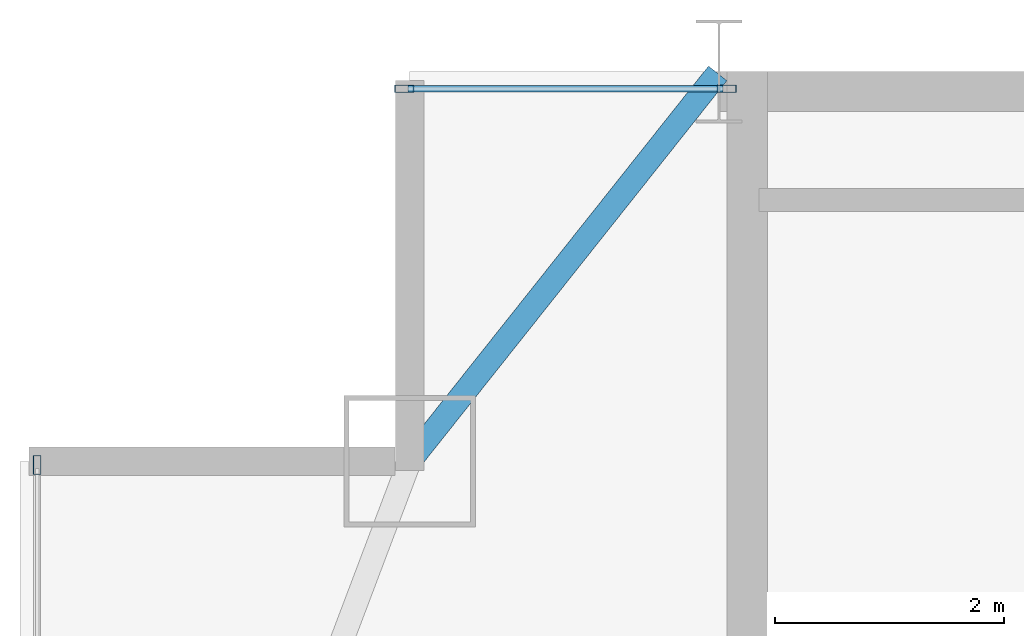
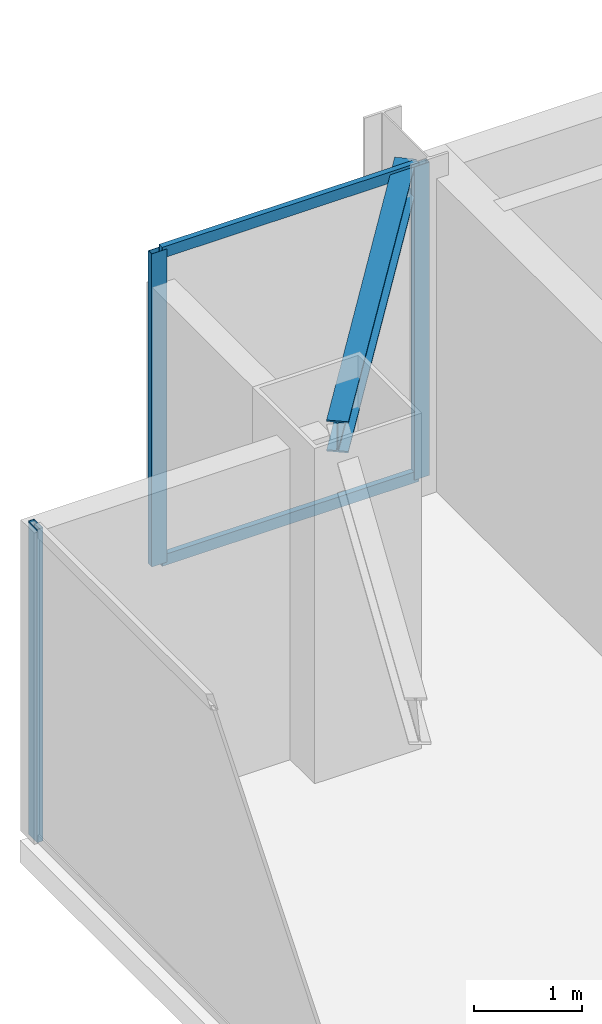
# One storey, part 21 of 30: 5 members, 1 beam, 2 elements without a shape of their own.
"""IFC4 building model written with IfcOpenShell, lengths in metres."""

from ifc_helpers import new_model, si_unit, direction, frame, origin, origin_2d, place, context, subcontext, project, spatial, hollow_rectangle, i_section, extrude, source, transform, mapped, material, layer, layer_set, material_profile, profile_set, type_object, type_shapes, element, aggregate, save


model = new_model("IFC4")

# Units and contexts
model_context = context("Model", 3, precision=1e-05, world=origin(), true_north=direction((0.0, 1.0)))
body_context = subcontext(model_context, "Body", "Model", "MODEL_VIEW")
ifc_project = project(units=[si_unit("LENGTHUNIT", "METRE"), si_unit("AREAUNIT", "SQUARE_METRE"), si_unit("VOLUMEUNIT", "CUBIC_METRE"), si_unit("PLANEANGLEUNIT", "RADIAN"), si_unit("MASSUNIT", "GRAM", prefix="KILO")], contexts=[model_context])

# Site, building, storey
site_placement = place(None, origin())
site = spatial("IfcSite", under=ifc_project, at=site_placement, CompositionType="ELEMENT")
building_placement = place(site_placement, origin())
building = spatial("IfcBuilding", under=site, at=building_placement, Name="Varnel Quay Broadcast Tower", CompositionType="ELEMENT")
storey_placement = place(building_placement, frame((0.0, 0.0, 222.60009765625)))
storey = spatial("IfcBuildingStorey", under=building, at=storey_placement, Name="L55", CompositionType="ELEMENT", Elevation=222.60009765625)

# Beam
ifc_material_1 = material(Name="Structural Steel CSA G40.21 350W", Category="steel")
ifc_material_profile_1 = material_profile(ifc_material_1, i_section(OverallWidth=0.205078125, OverallDepth=0.35400390625, WebThickness=0.009521484375, FlangeThickness=0.016845703125, FilletRadius=0.012939453125, at=origin_2d()), Name="W360X79")
ifc_profile_set_1 = profile_set([ifc_material_profile_1], Name="Structural Steel CSA G40.21 350W")
beam_type = type_object("IfcBeamType", Name="Beam_W360X79", PredefinedType="SPANDREL", material=ifc_profile_set_1)
shared_shape_1 = source(origin(), body_context, "Body", "SweptSolid", [
    extrude(i_section(OverallWidth=0.205078125, OverallDepth=0.35400390625, WebThickness=0.009521484375, FlangeThickness=0.016845703125, FilletRadius=0.012939453125, at=origin_2d()), origin(), (0.0, 0.0, 1.0), 4.301513671875),
])
type_shapes(beam_type, [shared_shape_1])
beam_placement = place(storey_placement, frame((12.912353515625, 43.415771484375, 3.372802734375), z_axis=(0.621936399401, 0.783067758946, 0.0), x_axis=(-0.783067758946, 0.621936399401, 0.0)))
element("IfcBeam", 1, at=beam_placement, inside=storey, type_object=beam_type, Name="L55 NW Tie Spandrel", PredefinedType="SPANDREL", context=body_context, shape_type="MappedRepresentation", body=[
    mapped(shared_shape_1, transform((0.0, 0.0, 0.0), x_axis=(1.0, 0.0, 0.0), y_axis=(0.0, 1.0, 0.0), z_axis=(0.0, 0.0, 1.0), scale=1.0)),
])

# Curtain wall, member
ifc_material_2 = material(Name="Anodised Bronze Aluminium 6063-T6", Category="aluminium")
ifc_layer = layer(ifc_material_2, 0.18994140625, Name="Anodised Bronze Aluminium 6063-T6")
ifc_layer_set = layer_set([ifc_layer], Name="Anodised Bronze Aluminium 6063-T6")
curtain_wall_type = type_object("IfcCurtainWallType", Name="CW_UpperTower", PredefinedType="NOTDEFINED", material=ifc_layer_set)
curtain_wall_1_placement = place(storey_placement, origin())
curtain_wall_1 = element("IfcCurtainWall", 2, at=curtain_wall_1_placement, inside=storey, type_object=curtain_wall_type, Name="L55 West Unitised Curtain Wall", PredefinedType="NOTDEFINED")
ifc_material_profile_2 = material_profile(ifc_material_2, hollow_rectangle(XDim=0.06494140625, YDim=0.1650390625, WallThickness=0.00341796875, at=origin_2d()), Name="ALU65X165X3.5")
ifc_profile_set_2 = profile_set([ifc_material_profile_2], Name="Anodised Bronze Aluminium 6063-T6")
member_type_1 = type_object("IfcMemberType", Name="Mull_CWS-03", PredefinedType="MULLION", material=ifc_profile_set_2)
shared_shape_2 = source(origin(), body_context, "Body", "SweptSolid", [
    extrude(hollow_rectangle(XDim=0.06494140625, YDim=0.1650390625, WallThickness=0.00341796875, at=origin_2d()), origin(), (0.0, 0.0, 1.0), 3.5498046875),
])
type_shapes(member_type_1, [shared_shape_2])
member_1_placement = place(storey_placement, frame((9.64990234375, 43.367431640625, 0.0), z_axis=(0.0, 0.0, 1.0), x_axis=(-1.0, 0.0, 0.0)))
member_1 = element("IfcMember", 3, at=member_1_placement, type_object=member_type_1, Name="CWS-03 mullion 3", PredefinedType="MULLION", context=body_context, shape_type="MappedRepresentation", body=[
    mapped(shared_shape_2, transform((0.0, 0.0, 0.0), x_axis=(1.0, 0.0, 0.0), y_axis=(0.0, 1.0, 0.0), z_axis=(0.0, 0.0, 1.0), scale=1.0)),
])
aggregate(curtain_wall_1, [member_1])

# Curtain wall, members
curtain_wall_2_placement = place(storey_placement, origin())
curtain_wall_2 = element("IfcCurtainWall", 4, at=curtain_wall_2_placement, inside=storey, type_object=curtain_wall_type, Name="L55 NW Wing Curtain Wall", PredefinedType="NOTDEFINED")
member_2_placement = place(storey_placement, frame((12.8525390625, 46.64990234375, 0.0), z_axis=(0.0, 0.0, 1.0), x_axis=(0.0, 1.0, 0.0)))
member_2 = element("IfcMember", 5, at=member_2_placement, type_object=member_type_1, Name="CWS-03 mullion 1", PredefinedType="MULLION", context=body_context, shape_type="MappedRepresentation", body=[
    mapped(shared_shape_2, transform((0.0, 0.0, 0.0), x_axis=(1.0, 0.0, 0.0), y_axis=(0.0, 1.0, 0.0), z_axis=(0.0, 0.0, 1.0), scale=1.0)),
])
member_3_placement = place(storey_placement, frame((15.66748046875, 46.64990234375, 0.0), z_axis=(0.0, 0.0, 1.0), x_axis=(0.0, 1.0, 0.0)))
member_3 = element("IfcMember", 6, at=member_3_placement, type_object=member_type_1, Name="CWS-03 mullion 2", PredefinedType="MULLION", context=body_context, shape_type="MappedRepresentation", body=[
    mapped(shared_shape_2, transform((0.0, 0.0, 0.0), x_axis=(1.0, 0.0, 0.0), y_axis=(0.0, 1.0, 0.0), z_axis=(0.0, 0.0, 1.0), scale=1.0)),
])
ifc_material_profile_3 = material_profile(ifc_material_2, hollow_rectangle(XDim=0.06005859375, YDim=0.125, WallThickness=0.0029296875, at=origin_2d()), Name="ALU60X125X3")
ifc_profile_set_3 = profile_set([ifc_material_profile_3], Name="Anodised Bronze Aluminium 6063-T6")
member_type_2 = type_object("IfcMemberType", Name="Tran_CWS-03", PredefinedType="USERDEFINED", material=ifc_profile_set_3)
shared_shape_3 = source(origin(), body_context, "Body", "SweptSolid", [
    extrude(hollow_rectangle(XDim=0.06005859375, YDim=0.125, WallThickness=0.0029296875, at=origin_2d()), origin(), (0.0, 0.0, 1.0), 2.75),
])
type_shapes(member_type_2, [shared_shape_3])
member_4_placement = place(storey_placement, frame((12.885009765625, 46.64990234375, 0.02978515625), z_axis=(1.0, 0.0, 0.0), x_axis=(0.0, 1.0, 0.0)))
member_4 = element("IfcMember", 7, at=member_4_placement, type_object=member_type_2, Name="CWS-03 transom 1.1", ObjectType="TRANSOM", PredefinedType="USERDEFINED", context=body_context, shape_type="MappedRepresentation", body=[
    mapped(shared_shape_3, transform((0.0, 0.0, 0.0), x_axis=(1.0, 0.0, 0.0), y_axis=(0.0, 1.0, 0.0), z_axis=(0.0, 0.0, 1.0), scale=1.0)),
])
member_5_placement = place(storey_placement, frame((12.885009765625, 46.64990234375, 3.52001953125), z_axis=(1.0, 0.0, 0.0), x_axis=(0.0, 1.0, 0.0)))
member_5 = element("IfcMember", 8, at=member_5_placement, type_object=member_type_2, Name="CWS-03 transom 1.2", ObjectType="TRANSOM", PredefinedType="USERDEFINED", context=body_context, shape_type="MappedRepresentation", body=[
    mapped(shared_shape_3, transform((0.0, 0.0, 0.0), x_axis=(1.0, 0.0, 0.0), y_axis=(0.0, 1.0, 0.0), z_axis=(0.0, 0.0, 1.0), scale=1.0)),
])
aggregate(curtain_wall_2, [member_2, member_3, member_4, member_5])

save(model, "model.ifc")
